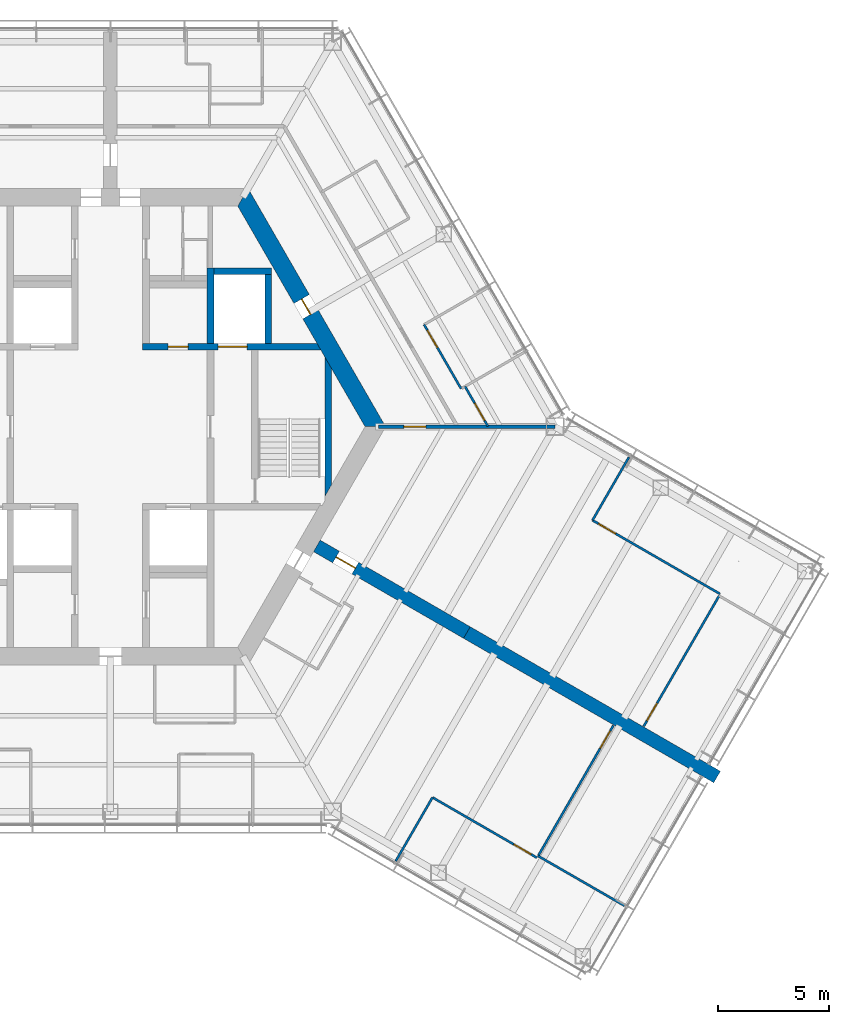
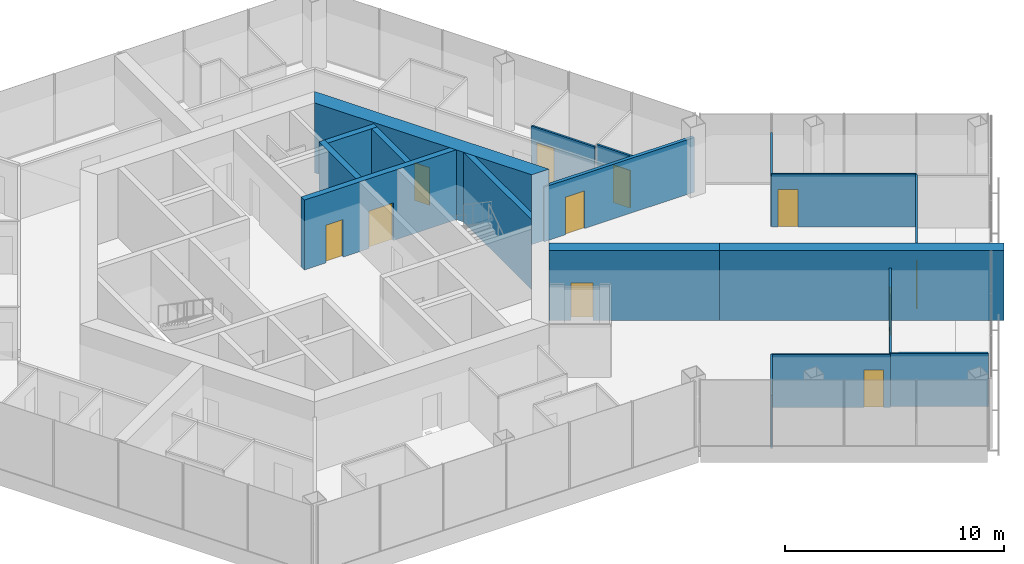
# One storey, part 12 of 17: 18 walls, 11 doors, 11 openings.
"""IFC4 building model written with IfcOpenShell, lengths in metres."""

from ifc_helpers import new_model, si_unit, direction, frame, frame_2d, origin, place, context, subcontext, project, spatial, polyline, rectangle, outline, extrude, material, layer, layer_set, type_object, element, fill, save


model = new_model("IFC4")

# Units and contexts
model_context = context("Model", 3, precision=1e-05, world=origin(), true_north=direction((0.0, 1.0)))
body_context = subcontext(model_context, "Body", "Model", "MODEL_VIEW")
ifc_project = project(units=[si_unit("LENGTHUNIT", "METRE"), si_unit("AREAUNIT", "SQUARE_METRE"), si_unit("VOLUMEUNIT", "CUBIC_METRE"), si_unit("PLANEANGLEUNIT", "RADIAN"), si_unit("MASSUNIT", "GRAM", prefix="KILO")], contexts=[model_context])

# Site, building, storey
site_placement = place(None, origin())
site = spatial("IfcSite", under=ifc_project, at=site_placement, CompositionType="ELEMENT")
building_placement = place(site_placement, origin())
building = spatial("IfcBuilding", under=site, at=building_placement, Name="Kasaneha Research Tower", CompositionType="ELEMENT")
storey_placement = place(building_placement, frame((0.0, 0.0, 232.300048828125)))
storey = spatial("IfcBuildingStorey", under=building, at=storey_placement, Name="L58", CompositionType="ELEMENT", Elevation=232.300048828125)

# Wall, openings, doors
ifc_material_1 = material(Name="Concrete Fc60", Category="concrete")
ifc_layer_1 = layer(ifc_material_1, 0.300048828125)
ifc_layer_set_1 = layer_set([ifc_layer_1], Name="Core internal wall 300 Fc60")
wall_type_1 = type_object("IfcWallType", Name="Core internal wall 300 Fc60", PredefinedType="SHEAR", material=ifc_layer_set_1)
wall_1_placement = place(storey_placement, frame((1.449951171875, 3.60009765625, 0.0), z_axis=(0.0, 0.0, 1.0), x_axis=(1.0, 0.0, 0.0)))
wall_1 = element("IfcWall", 1, at=wall_1_placement, inside=storey, type_object=wall_type_1, Name="Core wall W1E L58", PredefinedType="SHEAR", context=body_context, shape_type="SweptSolid", body=[
    extrude(outline(polyline([(0.0, -0.14990234375), (1.14990234375, -0.14990234375), (2.0498046875, -0.14990234375), (3.39990234375, -0.14990234375), (4.699951171875, -0.14990234375), (8.0185546875, -0.14990234375), (7.84521484375, 0.14990234375), (4.699951171875, 0.14990234375), (3.39990234375, 0.14990234375), (2.0498046875, 0.14990234375), (1.14990234375, 0.14990234375), (0.0, 0.14990234375), (0.0, -0.14990234375)])), origin(), (0.0, 0.0, 1.0), 3.89990234375),
])
opening_1_placement = place(wall_1_placement, frame((1.14990234375, 0.0, 0.0)))
opening_1 = element("IfcOpeningElement", 2, at=opening_1_placement, cuts=wall_1, Name="Opening L58-D17", PredefinedType="OPENING", context=body_context, shape_type="SweptSolid", body=[
    extrude(rectangle(XDim=0.89990234375, YDim=2.10009765625, at=frame_2d((0.449951171875, 1.050048828125))), frame((0.0, 0.16015625, 0.0), z_axis=(0.0, -1.0, 0.0), x_axis=(1.0, 0.0, 0.0)), (0.0, 0.0, 1.0), 0.320068359375),
])
opening_2_placement = place(wall_1_placement, frame((3.39990234375, 0.0, 0.0)))
opening_2 = element("IfcOpeningElement", 3, at=opening_2_placement, cuts=wall_1, Name="Opening LD-FL1-L58", PredefinedType="OPENING", context=body_context, shape_type="SweptSolid", body=[
    extrude(rectangle(XDim=1.300048828125, YDim=2.10009765625, at=frame_2d((0.64990234375, 1.050048828125))), frame((0.0, 0.16015625, 0.0), z_axis=(0.0, -1.0, 0.0), x_axis=(1.0, 0.0, 0.0)), (0.0, 0.0, 1.0), 0.320068359375),
])
ifc_material_2 = material(Name="Steel", Category="steel")
door_type_1 = type_object("IfcDoorType", Name="Lift landing door 1300x2100", OperationType="DOUBLE_DOOR_SLIDING", PredefinedType="DOOR", material=ifc_material_2)
door_1_placement = place(opening_2_placement, origin())
door_1 = element("IfcDoor", 4, at=door_1_placement, inside=storey, type_object=door_type_1, Name="Landing door FL1 LD-FL1-L58", OperationType="DOUBLE_DOOR_SLIDING", OverallHeight=2.10009765625, OverallWidth=1.300048828125, PredefinedType="DOOR", context=body_context, shape_type="SweptSolid", body=[
    extrude(rectangle(XDim=1.300048828125, YDim=2.10009765625, at=frame_2d((0.64990234375, 1.050048828125))), frame((0.0, 0.02490234375, 0.0), z_axis=(0.0, -1.0, 0.0), x_axis=(1.0, 0.0, 0.0)), (0.0, 0.0, 1.0), 0.050048828125),
])
fill(opening_2, door_1)
ifc_material_3 = material(Name="Steel", Category="steel")
door_type_2 = type_object("IfcDoorType", Name="Shaft room door FD60 900x2100", OperationType="NOTDEFINED", PredefinedType="DOOR", material=ifc_material_3)
door_2_placement = place(opening_1_placement, origin())
door_2 = element("IfcDoor", 5, at=door_2_placement, inside=storey, type_object=door_type_2, Name="Housekeeping store door L58-D17", OperationType="SINGLE_SWING_LEFT", OverallHeight=2.10009765625, OverallWidth=0.89990234375, PredefinedType="DOOR", context=body_context, shape_type="SweptSolid", body=[
    extrude(rectangle(XDim=0.89990234375, YDim=2.10009765625, at=frame_2d((0.449951171875, 1.050048828125))), frame((0.0, 0.02490234375, 0.0), z_axis=(0.0, -1.0, 0.0), x_axis=(1.0, 0.0, 0.0)), (0.0, 0.0, 1.0), 0.050048828125),
])
fill(opening_1, door_2)

# Walls
wall_2_placement = place(storey_placement, frame((4.5, 3.75, 0.0), z_axis=(0.0, 0.0, 1.0), x_axis=(0.0, 1.0, 0.0)))
element("IfcWall", 6, at=wall_2_placement, inside=storey, type_object=wall_type_1, Name="Core wall FNE L58", PredefinedType="SHEAR", context=body_context, shape_type="SweptSolid", body=[
    extrude(rectangle(XDim=3.39990234375, YDim=0.300048828125, at=frame_2d((1.699951171875, 0.0))), origin(), (0.0, 0.0, 1.0), 3.89990234375),
])
wall_3_placement = place(storey_placement, frame((4.64990234375, 7.0, 0.0), z_axis=(0.0, 0.0, 1.0), x_axis=(1.0, 0.0, 0.0)))
element("IfcWall", 7, at=wall_3_placement, inside=storey, type_object=wall_type_1, Name="Core wall F1N L58", PredefinedType="SHEAR", context=body_context, shape_type="SweptSolid", body=[
    extrude(rectangle(XDim=2.60009765625, YDim=0.300048828125, at=frame_2d((1.300048828125, 0.0))), origin(), (0.0, 0.0, 1.0), 3.89990234375),
])
wall_4_placement = place(storey_placement, frame((7.10009765625, 3.75, 0.0), z_axis=(0.0, 0.0, 1.0), x_axis=(0.0, 1.0, 0.0)))
element("IfcWall", 8, at=wall_4_placement, inside=storey, type_object=wall_type_1, Name="Core wall F1E L58", PredefinedType="SHEAR", context=body_context, shape_type="SweptSolid", body=[
    extrude(rectangle(XDim=3.10009765625, YDim=0.300048828125, at=frame_2d((1.550048828125, 0.0))), origin(), (0.0, 0.0, 1.0), 3.89990234375),
])
wall_5_placement = place(storey_placement, frame((9.807861328125, -2.8623046875, 0.0), z_axis=(0.0, 0.0, 1.0), x_axis=(0.0, 1.0, 0.0)))
element("IfcWall", 9, at=wall_5_placement, inside=storey, type_object=wall_type_1, Name="Core wall STE L58", PredefinedType="SHEAR", context=body_context, shape_type="SweptSolid", body=[
    extrude(outline(polyline([(0.259765625, -0.14990234375), (5.46484375, -0.14990234375), (5.984375, 0.14990234375), (-0.259765625, 0.14990234375), (0.259765625, -0.14990234375)])), origin(), (0.0, 0.0, 1.0), 3.89990234375),
])

# Wall, opening, door
ifc_material_4 = material(Name="Concrete Fc60", Category="concrete")
ifc_layer_2 = layer(ifc_material_4, 0.800048828125)
ifc_layer_set_2 = layer_set([ifc_layer_2], Name="Core wall 800 Fc60")
wall_type_2 = type_object("IfcWallType", Name="Core wall 800 Fc60", PredefinedType="SHEAR", material=ifc_layer_set_2)
wall_6_placement = place(storey_placement, frame((11.92236328125, 0.0, 0.0), z_axis=(0.0, 0.0, 1.0), x_axis=(-0.500004296715, 0.866022923061, 0.0)))
wall_6 = element("IfcWall", 10, at=wall_6_placement, inside=storey, type_object=wall_type_2, Name="Core wall 030 L58", PredefinedType="SHEAR", context=body_context, shape_type="SweptSolid", body=[
    extrude(outline(polyline([(-0.23095703125, -0.39990234375), (5.83544921875, -0.39990234375), (6.635498046875, -0.39990234375), (12.1533203125, -0.39990234375), (11.69140625, 0.39990234375), (6.635498046875, 0.39990234375), (5.83544921875, 0.39990234375), (0.23095703125, 0.39990234375), (-0.23095703125, -0.39990234375)])), origin(), (0.0, 0.0, 1.0), 3.89990234375),
])
opening_3_placement = place(wall_6_placement, frame((5.83544921875, 0.0, 0.0)))
opening_3 = element("IfcOpeningElement", 11, at=opening_3_placement, cuts=wall_6, Name="Opening L58-D04", PredefinedType="OPENING", context=body_context, shape_type="SweptSolid", body=[
    extrude(rectangle(XDim=0.800048828125, YDim=2.10009765625, at=frame_2d((0.39990234375, 1.050048828125))), frame((0.0, 0.41015625, 0.0), z_axis=(0.0, -1.0, 0.0), x_axis=(1.0, 0.0, 0.0)), (0.0, 0.0, 1.0), 0.820068359375),
])
ifc_material_5 = material(Name="Steel", Category="steel")
door_type_3 = type_object("IfcDoorType", Name="Riser access door FD60 800x2100", OperationType="NOTDEFINED", PredefinedType="DOOR", material=ifc_material_5)
door_3_placement = place(opening_3_placement, origin())
door_3 = element("IfcDoor", 12, at=door_3_placement, inside=storey, type_object=door_type_3, Name="Pipe riser door L58-D04", OperationType="SINGLE_SWING_RIGHT", OverallHeight=2.10009765625, OverallWidth=0.800048828125, PredefinedType="DOOR", context=body_context, shape_type="SweptSolid", body=[
    extrude(rectangle(XDim=0.800048828125, YDim=2.10009765625, at=frame_2d((0.39990234375, 1.050048828125))), frame((0.0, 0.02490234375, 0.0), z_axis=(0.0, -1.0, 0.0), x_axis=(1.0, 0.0, 0.0)), (0.0, 0.0, 1.0), 0.050048828125),
])
fill(opening_3, door_3)

ifc_material_6 = material(Name="Gypsum board on steel studs, one layer each side", Category="steel")
ifc_layer_3 = layer(ifc_material_6, 0.10009765625)
ifc_layer_set_3 = layer_set([ifc_layer_3], Name="Office partition 100")
wall_type_3 = type_object("IfcWallType", Name="Office partition 100", PredefinedType="PARTITIONING", material=ifc_layer_set_3)
wall_7_placement = place(storey_placement, frame((15.779296875, 1.71044921875, 0.0), z_axis=(0.0, 0.0, 1.0), x_axis=(-0.500001606164, 0.866024476463, 0.0)))
wall_7 = element("IfcWall", 13, at=wall_7_placement, inside=storey, type_object=wall_type_3, Name="Office partition FAE15 L58", PredefinedType="PARTITIONING", context=body_context, shape_type="SweptSolid", body=[
    extrude(rectangle(XDim=3.3310546875, YDim=0.10009765625, at=frame_2d((1.66552734375, 0.0))), origin(), (0.0, 0.0, 1.0), 2.949951171875),
])
opening_4_placement = place(wall_7_placement, frame((2.131103515625, 0.0, 0.0)))
opening_4 = element("IfcOpeningElement", 14, at=opening_4_placement, cuts=wall_7, Name="Opening L58-D29", PredefinedType="OPENING", context=body_context, shape_type="SweptSolid", body=[
    extrude(rectangle(XDim=0.89990234375, YDim=2.10009765625, at=frame_2d((0.449951171875, 1.050048828125))), frame((0.0, 0.06005859375, 0.0), z_axis=(0.0, -1.0, 0.0), x_axis=(1.0, 0.0, 0.0)), (0.0, 0.0, 1.0), 0.1201171875),
])
ifc_material_7 = material(Name="Timber veneer", Category="wood")
door_type_4 = type_object("IfcDoorType", Name="Office door 900x2100", OperationType="SINGLE_SWING_LEFT", PredefinedType="DOOR", material=ifc_material_7)
door_4_placement = place(opening_4_placement, origin())
door_4 = element("IfcDoor", 15, at=door_4_placement, inside=storey, type_object=door_type_4, Name="Manager's office door L58-D29", OperationType="SINGLE_SWING_RIGHT", OverallHeight=2.10009765625, OverallWidth=0.89990234375, PredefinedType="DOOR", context=body_context, shape_type="SweptSolid", body=[
    extrude(rectangle(XDim=0.89990234375, YDim=2.10009765625, at=frame_2d((0.449951171875, 1.050048828125))), frame((0.0, 0.02490234375, 0.0), z_axis=(0.0, -1.0, 0.0), x_axis=(1.0, 0.0, 0.0)), (0.0, 0.0, 1.0), 0.050048828125),
])
fill(opening_4, door_4)

wall_8_placement = place(storey_placement, frame((16.986083984375, 0.02001953125, 0.0), z_axis=(0.0, 0.0, 1.0), x_axis=(-0.498096123952, 0.867121820337, 0.0)))
wall_8 = element("IfcWall", 16, at=wall_8_placement, inside=storey, type_object=wall_type_3, Name="Office partition FAE18 L58", PredefinedType="PARTITIONING", context=body_context, shape_type="SweptSolid", body=[
    extrude(rectangle(XDim=2.0673828125, YDim=0.10009765625, at=frame_2d((1.03369140625, 0.0))), origin(), (0.0, 0.0, 1.0), 2.949951171875),
])
opening_5_placement = place(wall_8_placement, frame((0.300048828125, 0.0, 0.0)))
opening_5 = element("IfcOpeningElement", 17, at=opening_5_placement, cuts=wall_8, Name="Opening L58-D31", PredefinedType="OPENING", context=body_context, shape_type="SweptSolid", body=[
    extrude(rectangle(XDim=0.89990234375, YDim=2.10009765625, at=frame_2d((0.449951171875, 1.050048828125))), frame((0.0, 0.06005859375, 0.0), z_axis=(0.0, -1.0, 0.0), x_axis=(1.0, 0.0, 0.0)), (0.0, 0.0, 1.0), 0.1201171875),
])
door_5_placement = place(opening_5_placement, origin())
door_5 = element("IfcDoor", 18, at=door_5_placement, inside=storey, type_object=door_type_4, Name="Workroom door L58-D31", OperationType="SINGLE_SWING_LEFT", OverallHeight=2.10009765625, OverallWidth=0.89990234375, PredefinedType="DOOR", context=body_context, shape_type="SweptSolid", body=[
    extrude(rectangle(XDim=0.89990234375, YDim=2.10009765625, at=frame_2d((0.449951171875, 1.050048828125))), frame((0.0, 0.02490234375, 0.0), z_axis=(0.0, -1.0, 0.0), x_axis=(1.0, 0.0, 0.0)), (0.0, 0.0, 1.0), 0.050048828125),
])
fill(opening_5, door_5)

# Wall
wall_9_placement = place(storey_placement, frame((21.692138671875, -4.210205078125, 0.0), z_axis=(0.0, 0.0, 1.0), x_axis=(0.50002956483, 0.866008333849, 0.0)))
element("IfcWall", 19, at=wall_9_placement, inside=storey, type_object=wall_type_3, Name="Office partition FCE02 L58", PredefinedType="PARTITIONING", context=body_context, shape_type="SweptSolid", body=[
    extrude(rectangle(XDim=3.280029296875, YDim=0.10009765625, at=frame_2d((1.64013671875, 0.0))), origin(), (0.0, 0.0, 1.0), 2.949951171875),
])

# Wall, opening, door
wall_10_placement = place(storey_placement, frame((27.425048828125, -7.52001953125, 0.0), z_axis=(0.0, 0.0, 1.0), x_axis=(-0.866030817826, 0.499990622488, 0.0)))
wall_10 = element("IfcWall", 20, at=wall_10_placement, inside=storey, type_object=wall_type_3, Name="Office partition FCE03 L58", PredefinedType="PARTITIONING", context=body_context, shape_type="SweptSolid", body=[
    extrude(rectangle(XDim=6.619873046875, YDim=0.10009765625, at=frame_2d((3.31005859375, 0.0))), origin(), (0.0, 0.0, 1.0), 2.949951171875),
])
opening_6_placement = place(wall_10_placement, frame((5.419677734375, 0.0, 0.0)))
opening_6 = element("IfcOpeningElement", 21, at=opening_6_placement, cuts=wall_10, Name="Opening L58-D41", PredefinedType="OPENING", context=body_context, shape_type="SweptSolid", body=[
    extrude(rectangle(XDim=0.89990234375, YDim=2.10009765625, at=frame_2d((0.449951171875, 1.050048828125))), frame((0.0, 0.06005859375, 0.0), z_axis=(0.0, -1.0, 0.0), x_axis=(1.0, 0.0, 0.0)), (0.0, 0.0, 1.0), 0.1201171875),
])
door_6_placement = place(opening_6_placement, origin())
door_6 = element("IfcDoor", 22, at=door_6_placement, inside=storey, type_object=door_type_4, Name="Manager's office door L58-D41", OperationType="SINGLE_SWING_RIGHT", OverallHeight=2.10009765625, OverallWidth=0.89990234375, PredefinedType="DOOR", context=body_context, shape_type="SweptSolid", body=[
    extrude(rectangle(XDim=0.89990234375, YDim=2.10009765625, at=frame_2d((0.449951171875, 1.050048828125))), frame((0.0, 0.02490234375, 0.0), z_axis=(0.0, -1.0, 0.0), x_axis=(1.0, 0.0, 0.0)), (0.0, 0.0, 1.0), 0.050048828125),
])
fill(opening_6, door_6)

wall_11_placement = place(storey_placement, frame((23.993408203125, -13.483154296875, 0.0), z_axis=(0.0, 0.0, 1.0), x_axis=(0.500522347083, 0.865723616445, 0.0)))
wall_11 = element("IfcWall", 23, at=wall_11_placement, inside=storey, type_object=wall_type_3, Name="Office partition FCE04 L58", PredefinedType="PARTITIONING", context=body_context, shape_type="SweptSolid", body=[
    extrude(rectangle(XDim=6.780029296875, YDim=0.10009765625, at=frame_2d((3.39013671875, 0.0))), origin(), (0.0, 0.0, 1.0), 2.949951171875),
])
opening_7_placement = place(wall_11_placement, frame((0.300048828125, 0.0, 0.0)))
opening_7 = element("IfcOpeningElement", 24, at=opening_7_placement, cuts=wall_11, Name="Opening L58-D42", PredefinedType="OPENING", context=body_context, shape_type="SweptSolid", body=[
    extrude(rectangle(XDim=0.89990234375, YDim=2.10009765625, at=frame_2d((0.449951171875, 1.050048828125))), frame((0.0, 0.06005859375, 0.0), z_axis=(0.0, -1.0, 0.0), x_axis=(1.0, 0.0, 0.0)), (0.0, 0.0, 1.0), 0.1201171875),
])
door_7_placement = place(opening_7_placement, origin())
door_7 = element("IfcDoor", 25, at=door_7_placement, inside=storey, type_object=door_type_4, Name="Meeting room door L58-D42", OperationType="SINGLE_SWING_LEFT", OverallHeight=2.10009765625, OverallWidth=0.89990234375, PredefinedType="DOOR", context=body_context, shape_type="SweptSolid", body=[
    extrude(rectangle(XDim=0.89990234375, YDim=2.10009765625, at=frame_2d((0.449951171875, 1.050048828125))), frame((0.0, 0.02490234375, 0.0), z_axis=(0.0, -1.0, 0.0), x_axis=(1.0, 0.0, 0.0)), (0.0, 0.0, 1.0), 0.050048828125),
])
fill(opening_7, door_7)

# Walls
wall_12_placement = place(storey_placement, frame((19.2412109375, -19.31298828125, 0.0), z_axis=(0.0, 0.0, 1.0), x_axis=(0.866534622614, -0.499116968066, 0.0)))
element("IfcWall", 26, at=wall_12_placement, inside=storey, type_object=wall_type_3, Name="Office partition FCS09 L58", PredefinedType="PARTITIONING", context=body_context, shape_type="SweptSolid", body=[
    extrude(rectangle(XDim=4.48046875, YDim=0.10009765625, at=frame_2d((2.240234375, 0.0))), origin(), (0.0, 0.0, 1.0), 2.949951171875),
])
wall_13_placement = place(storey_placement, frame((12.837158203125, -19.547607421875, 0.0), z_axis=(0.0, 0.0, 1.0), x_axis=(0.499890550747, 0.866088585119, 0.0)))
element("IfcWall", 27, at=wall_13_placement, inside=storey, type_object=wall_type_3, Name="Office partition FCS10 L58", PredefinedType="PARTITIONING", context=body_context, shape_type="SweptSolid", body=[
    extrude(rectangle(XDim=3.310791015625, YDim=0.10009765625, at=frame_2d((1.6552734375, 0.0))), origin(), (0.0, 0.0, 1.0), 2.949951171875),
])

# Wall, opening, door
wall_14_placement = place(storey_placement, frame((14.4921875, -16.68017578125, 0.0), z_axis=(0.0, 0.0, 1.0), x_axis=(0.866056782721, -0.499945646148, 0.0)))
wall_14 = element("IfcWall", 28, at=wall_14_placement, inside=storey, type_object=wall_type_3, Name="Office partition FCS11 L58", PredefinedType="PARTITIONING", context=body_context, shape_type="SweptSolid", body=[
    extrude(rectangle(XDim=5.4287109375, YDim=0.10009765625, at=frame_2d((2.71435546875, 0.0))), origin(), (0.0, 0.0, 1.0), 2.949951171875),
])
opening_8_placement = place(wall_14_placement, frame((4.22900390625, 0.0, 0.0)))
opening_8 = element("IfcOpeningElement", 29, at=opening_8_placement, cuts=wall_14, Name="Opening L58-D45", PredefinedType="OPENING", context=body_context, shape_type="SweptSolid", body=[
    extrude(rectangle(XDim=0.89990234375, YDim=2.10009765625, at=frame_2d((0.449951171875, 1.050048828125))), frame((0.0, 0.06005859375, 0.0), z_axis=(0.0, -1.0, 0.0), x_axis=(1.0, 0.0, 0.0)), (0.0, 0.0, 1.0), 0.1201171875),
])
door_8_placement = place(opening_8_placement, origin())
door_8 = element("IfcDoor", 30, at=door_8_placement, inside=storey, type_object=door_type_4, Name="Manager's office door L58-D45", OperationType="SINGLE_SWING_RIGHT", OverallHeight=2.10009765625, OverallWidth=0.89990234375, PredefinedType="DOOR", context=body_context, shape_type="SweptSolid", body=[
    extrude(rectangle(XDim=0.89990234375, YDim=2.10009765625, at=frame_2d((0.449951171875, 1.050048828125))), frame((0.0, 0.02490234375, 0.0), z_axis=(0.0, -1.0, 0.0), x_axis=(1.0, 0.0, 0.0)), (0.0, 0.0, 1.0), 0.050048828125),
])
fill(opening_8, door_8)

wall_15_placement = place(storey_placement, frame((19.247802734375, -19.31103515625, 0.0), z_axis=(0.0, 0.0, 1.0), x_axis=(0.499489671712, 0.866319841544, 0.0)))
wall_15 = element("IfcWall", 31, at=wall_15_placement, inside=storey, type_object=wall_type_3, Name="Office partition FCS12 L58", PredefinedType="PARTITIONING", context=body_context, shape_type="SweptSolid", body=[
    extrude(rectangle(XDim=6.77978515625, YDim=0.10009765625, at=frame_2d((3.389892578125, 0.0))), origin(), (0.0, 0.0, 1.0), 2.949951171875),
])
opening_9_placement = place(wall_15_placement, frame((5.580078125, 0.0, 0.0)))
opening_9 = element("IfcOpeningElement", 32, at=opening_9_placement, cuts=wall_15, Name="Opening L58-D46", PredefinedType="OPENING", context=body_context, shape_type="SweptSolid", body=[
    extrude(rectangle(XDim=0.89990234375, YDim=2.10009765625, at=frame_2d((0.449951171875, 1.050048828125))), frame((0.0, 0.06005859375, 0.0), z_axis=(0.0, -1.0, 0.0), x_axis=(1.0, 0.0, 0.0)), (0.0, 0.0, 1.0), 0.1201171875),
])
door_9_placement = place(opening_9_placement, origin())
door_9 = element("IfcDoor", 33, at=door_9_placement, inside=storey, type_object=door_type_4, Name="Meeting room door L58-D46", OperationType="SINGLE_SWING_RIGHT", OverallHeight=2.10009765625, OverallWidth=0.89990234375, PredefinedType="DOOR", context=body_context, shape_type="SweptSolid", body=[
    extrude(rectangle(XDim=0.89990234375, YDim=2.10009765625, at=frame_2d((0.449951171875, 1.050048828125))), frame((0.0, 0.02490234375, 0.0), z_axis=(0.0, -1.0, 0.0), x_axis=(1.0, 0.0, 0.0)), (0.0, 0.0, 1.0), 0.050048828125),
])
fill(opening_9, door_9)

ifc_material_8 = material(Name="Concrete Fc60", Category="concrete")
ifc_layer_4 = layer(ifc_material_8, 0.60009765625)
ifc_layer_set_4 = layer_set([ifc_layer_4], Name="Spine wall 600 Fc60")
wall_type_4 = type_object("IfcWallType", Name="Spine wall 600 Fc60", PredefinedType="SHEAR", material=ifc_layer_set_4)
wall_16_placement = place(storey_placement, frame((9.2880859375, -5.362548828125, 0.0), z_axis=(0.0, 0.0, 1.0), x_axis=(0.866031736626, -0.499989031036, 0.0)))
wall_16 = element("IfcWall", 34, at=wall_16_placement, inside=storey, type_object=wall_type_4, Name="Spine wall C L58", PredefinedType="SHEAR", context=body_context, shape_type="SweptSolid", body=[
    extrude(rectangle(XDim=7.795654296875, YDim=0.60009765625, at=frame_2d((3.89794921875, 0.0))), origin(), (0.0, 0.0, 1.0), 3.89990234375),
])
opening_10_placement = place(wall_16_placement, frame((1.0, 0.0, 0.0)))
opening_10 = element("IfcOpeningElement", 35, at=opening_10_placement, cuts=wall_16, Name="Opening L58-D20", PredefinedType="OPENING", context=body_context, shape_type="SweptSolid", body=[
    extrude(rectangle(XDim=1.0, YDim=2.10009765625, at=frame_2d((0.5, 1.050048828125))), frame((0.0, 0.31005859375, 0.0), z_axis=(0.0, -1.0, 0.0), x_axis=(1.0, 0.0, 0.0)), (0.0, 0.0, 1.0), 0.6201171875),
])
ifc_material_9 = material(Name="Steel", Category="steel")
door_type_5 = type_object("IfcDoorType", Name="Specified fire door FD60 1000x2100", OperationType="NOTDEFINED", PredefinedType="DOOR", material=ifc_material_9)
door_10_placement = place(opening_10_placement, origin())
door_10 = element("IfcDoor", 36, at=door_10_placement, inside=storey, type_object=door_type_5, Name="Spine doorway C L58-D20", OperationType="SINGLE_SWING_LEFT", OverallHeight=2.10009765625, OverallWidth=1.0, PredefinedType="DOOR", context=body_context, shape_type="SweptSolid", body=[
    extrude(rectangle(XDim=1.0, YDim=2.10009765625, at=frame_2d((0.5, 1.050048828125))), frame((0.0, 0.02490234375, 0.0), z_axis=(0.0, -1.0, 0.0), x_axis=(1.0, 0.0, 0.0)), (0.0, 0.0, 1.0), 0.050048828125),
])
fill(opening_10, door_10)

# Wall
wall_17_placement = place(storey_placement, frame((16.039306640625, -9.26025390625, 0.0), z_axis=(0.0, 0.0, 1.0), x_axis=(0.866024837091, -0.50000098154, 0.0)))
element("IfcWall", 37, at=wall_17_placement, inside=storey, type_object=wall_type_4, Name="Spine wall C wing L58", PredefinedType="SHEAR", context=body_context, shape_type="SweptSolid", body=[
    extrude(rectangle(XDim=13.0, YDim=0.60009765625, at=frame_2d((6.5, 0.0))), origin(), (0.0, 0.0, 1.0), 3.89990234375),
])

# Wall, opening, door
ifc_material_10 = material(Name="Gypsum board on steel studs, two layers each side", Category="steel")
ifc_layer_5 = layer(ifc_material_10, 0.175048828125)
ifc_layer_set_5 = layer_set([ifc_layer_5], Name="Tenancy fire partition 175")
wall_type_5 = type_object("IfcWallType", Name="Tenancy fire partition 175", PredefinedType="PARTITIONING", material=ifc_layer_set_5)
wall_18_placement = place(storey_placement, frame((12.069580078125, 0.0, 0.0), z_axis=(0.0, 0.0, 1.0), x_axis=(1.0, 0.0, 0.0)))
wall_18 = element("IfcWall", 38, at=wall_18_placement, inside=storey, type_object=wall_type_5, Name="Tenancy fire partition T000 L58", PredefinedType="PARTITIONING", context=body_context, shape_type="SweptSolid", body=[
    extrude(rectangle(XDim=7.930419921875, YDim=0.175048828125, at=frame_2d((3.96533203125, 0.0))), origin(), (0.0, 0.0, 1.0), 3.050048828125),
])
opening_11_placement = place(wall_18_placement, frame((1.1298828125, 0.0, 0.0)))
opening_11 = element("IfcOpeningElement", 39, at=opening_11_placement, cuts=wall_18, Name="Opening L58-D23", PredefinedType="OPENING", context=body_context, shape_type="SweptSolid", body=[
    extrude(rectangle(XDim=1.0, YDim=2.10009765625, at=frame_2d((0.5, 1.050048828125))), frame((0.0, 0.09765625, 0.0), z_axis=(0.0, -1.0, 0.0), x_axis=(1.0, 0.0, 0.0)), (0.0, 0.0, 1.0), 0.195068359375),
])
ifc_material_11 = material(Name="Steel", Category="steel")
door_type_6 = type_object("IfcDoorType", Name="Suite entrance door FD60 1000x2100", OperationType="NOTDEFINED", PredefinedType="DOOR", material=ifc_material_11)
door_11_placement = place(opening_11_placement, origin())
door_11 = element("IfcDoor", 40, at=door_11_placement, inside=storey, type_object=door_type_6, Name="Connecting door L58-D23", OperationType="SINGLE_SWING_LEFT", OverallHeight=2.10009765625, OverallWidth=1.0, PredefinedType="DOOR", context=body_context, shape_type="SweptSolid", body=[
    extrude(rectangle(XDim=1.0, YDim=2.10009765625, at=frame_2d((0.5, 1.050048828125))), frame((0.0, 0.02490234375, 0.0), z_axis=(0.0, -1.0, 0.0), x_axis=(1.0, 0.0, 0.0)), (0.0, 0.0, 1.0), 0.050048828125),
])
fill(opening_11, door_11)

save(model, "model.ifc")
